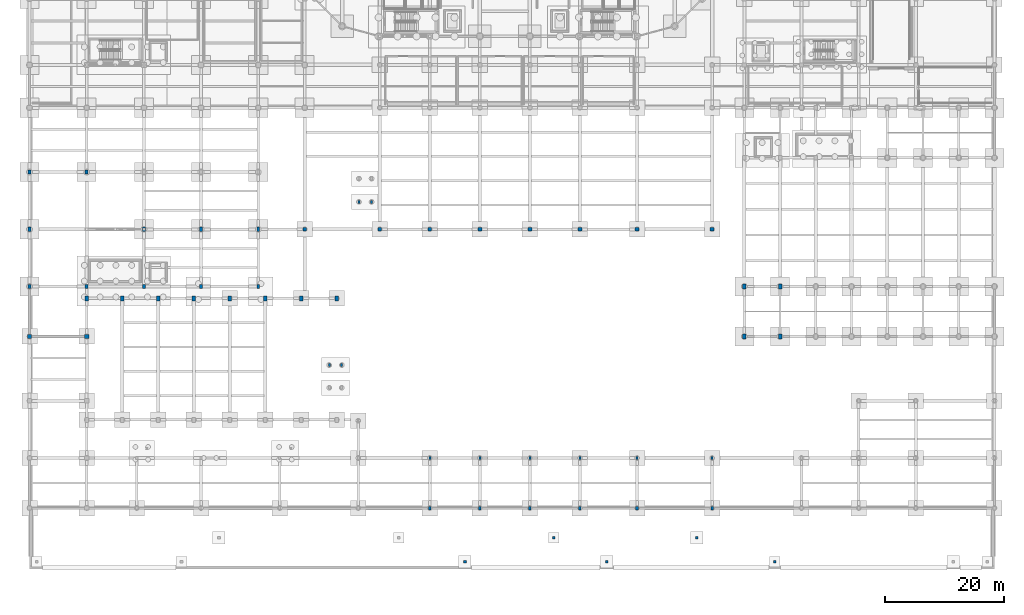
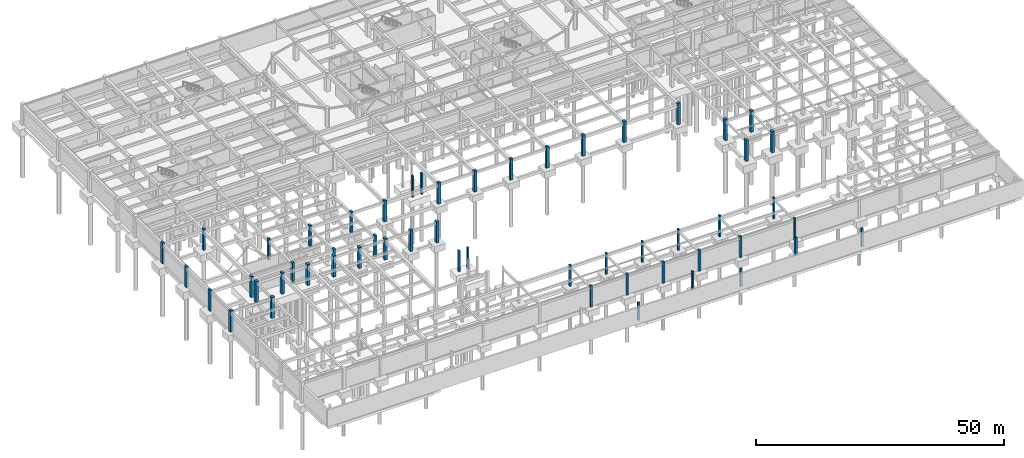
# One storey, part 10 of 37: 54 columns.
"""IFC4 building model written with IfcOpenShell, lengths in metres."""

from ifc_helpers import new_model, si_unit, direction, frame, origin, origin_2d, place, context, subcontext, project, spatial, rectangle, extrude, material, material_profile, profile_set, type_object, element, save


model = new_model("IFC4")

# Units and contexts
model_context = context("Model", 3, precision=1e-05, world=origin(), true_north=direction((0.0, 1.0)))
body_context = subcontext(model_context, "Body", "Model", "MODEL_VIEW")
ifc_project = project(units=[si_unit("LENGTHUNIT", "METRE"), si_unit("AREAUNIT", "SQUARE_METRE"), si_unit("VOLUMEUNIT", "CUBIC_METRE"), si_unit("PLANEANGLEUNIT", "RADIAN"), si_unit("MASSUNIT", "GRAM", prefix="KILO")], contexts=[model_context])

# Site, building, storey
site_placement = place(None, origin())
site = spatial("IfcSite", under=ifc_project, at=site_placement, CompositionType="ELEMENT")
building_placement = place(site_placement, origin())
building = spatial("IfcBuilding", under=site, at=building_placement, Name="Tarnavel Promenade Courthouse", CompositionType="ELEMENT")
storey_placement = place(building_placement, frame((0.0, 0.0, -4.800048828125)))
storey = spatial("IfcBuildingStorey", under=building, at=storey_placement, Name="B01", CompositionType="ELEMENT", Elevation=-4.800048828125)

# Columns
ifc_material = material(Name="Concrete C40/50", Category="concrete")
ifc_material_profile_1 = material_profile(ifc_material, rectangle(XDim=0.35009765625, YDim=0.5, at=origin_2d()), Name="RC 350x500")
ifc_profile_set_1 = profile_set([ifc_material_profile_1], Name="Concrete C40/50")
column_type_1 = type_object("IfcColumnType", Name="Concrete C40/50 COL-PIL-350x500 (RC 350x500)", PredefinedType="PILASTER", material=ifc_profile_set_1)
for number, where, z_axis, x_axis, name in (
    (1, (67.199951171875, 8.39990234375, -0.419921875), (0.0, 0.0, 1.0), (1.0, 0.0, 0.0), "B01 Structural Column 1098"),
    (2, (75.60009765625, 8.39990234375, -0.419921875), (0.0, 0.0, 1.0), (1.0, 0.0, 0.0), "B01 Structural Column 1102"),
    (3, (84.0, 8.39990234375, -0.419921875), (0.0, 0.0, 1.0), (1.0, 0.0, 0.0), "B01 Structural Column 1106"),
    (4, (92.39990234375, 8.39990234375, -0.419921875), (0.0, 0.0, 1.0), (1.0, 0.0, 0.0), "B01 Structural Column 1110"),
    (5, (102.0, 8.39990234375, -0.419921875), (0.0, 0.0, 1.0), (1.0, 0.0, 0.0), "B01 Structural Column 1114"),
    (6, (114.60009765625, 8.39990234375, -0.419921875), (0.0, 0.0, 1.0), (1.0, 0.0, 0.0), "B01 Structural Column 1118"),
    (7, (50.340087890625, 24.0, -0.419921875), (0.0, 0.0, 1.0), (1.0, 0.0, 0.0), "B01 Structural Column 1143"),
    (8, (52.39990234375, 24.0, -0.419921875), (0.0, 0.0, 1.0), (1.0, 0.0, 0.0), "B01 Structural Column 1145"),
    (9, (55.330078125, 51.39990234375, -0.419921875), (0.0, 0.0, 1.0), (1.0, 0.0, 0.0), "B01 Structural Column 1146"),
    (10, (57.39990234375, 51.39990234375, -0.419921875), (0.0, 0.0, 1.0), (1.0, 0.0, 0.0), "B01 Structural Column 1148"),
):
    element("IfcColumn", number, at=place(storey_placement, frame(where, z_axis=z_axis, x_axis=x_axis)), inside=storey, type_object=column_type_1, Name=name, PredefinedType="PILASTER", context=body_context, shape_type="SweptSolid", body=[
        extrude(rectangle(XDim=0.35009765625, YDim=0.5, at=origin_2d()), origin(), (0.0, 0.0, 1.0), 5.219970703125),
    ])
ifc_material_profile_2 = material_profile(ifc_material, rectangle(XDim=0.449951171875, YDim=0.60009765625, at=origin_2d()), Name="RC 450x600")
ifc_profile_set_2 = profile_set([ifc_material_profile_2], Name="Concrete C40/50")
column_type_2 = type_object("IfcColumnType", Name="Concrete C40/50 COL-PIL-450x600 (RC 450x600)", PredefinedType="PILASTER", material=ifc_profile_set_2)
for number, where, z_axis, x_axis, name in (
    (11, (67.199951171875, 0.0, -0.419921875), (0.0, 0.0, 1.0), (1.0, 0.0, 0.0), "B01 Structural Column 1096"),
    (12, (75.60009765625, 0.0, -0.419921875), (0.0, 0.0, 1.0), (1.0, 0.0, 0.0), "B01 Structural Column 1100"),
    (13, (84.0, 0.0, -0.419921875), (0.0, 0.0, 1.0), (1.0, 0.0, 0.0), "B01 Structural Column 1104"),
    (14, (92.39990234375, 0.0, -0.419921875), (0.0, 0.0, 1.0), (1.0, 0.0, 0.0), "B01 Structural Column 1108"),
    (15, (102.0, 0.0, -0.419921875), (0.0, 0.0, 1.0), (1.0, 0.0, 0.0), "B01 Structural Column 1112"),
    (16, (114.60009765625, 0.0, -0.419921875), (0.0, 0.0, 1.0), (1.0, 0.0, 0.0), "B01 Structural Column 1116"),
):
    element("IfcColumn", number, at=place(storey_placement, frame(where, z_axis=z_axis, x_axis=x_axis)), inside=storey, type_object=column_type_2, Name=name, PredefinedType="PILASTER", context=body_context, shape_type="SweptSolid", body=[
        extrude(rectangle(XDim=0.449951171875, YDim=0.60009765625, at=origin_2d()), origin(), (0.0, 0.0, 1.0), 5.219970703125),
    ])
ifc_material_profile_3 = material_profile(ifc_material, rectangle(XDim=0.449951171875, YDim=0.449951171875, at=origin_2d()), Name="RC 450x450")
ifc_profile_set_3 = profile_set([ifc_material_profile_3], Name="Concrete C40/50")
column_type_3 = type_object("IfcColumnType", Name="Concrete C40/50 COL-RC450-PAV (RC 450x450)", PredefinedType="COLUMN", material=ifc_profile_set_3)
for number, where, z_axis, x_axis, name in (
    (17, (73.10009765625, -9.0, -0.419921875), (0.0, 0.0, 1.0), (1.0, 0.0, 0.0), "Plinth Frost Pedestal 04"),
    (18, (88.0, -5.0, -0.419921875), (0.0, 0.0, 1.0), (1.0, 0.0, 0.0), "Plinth Frost Pedestal 05"),
    (19, (112.0, -5.0, -0.419921875), (0.0, 0.0, 1.0), (1.0, 0.0, 0.0), "Plinth Frost Pedestal 06"),
    (20, (125.10009765625, -9.0, -0.419921875), (0.0, 0.0, 1.0), (1.0, 0.0, 0.0), "Plinth Frost Pedestal 07"),
    (21, (96.89990234375, -9.0, -0.419921875), (0.0, 0.0, 1.0), (1.0, 0.0, 0.0), "Plinth Frost Pedestal 10"),
):
    element("IfcColumn", number, at=place(storey_placement, frame(where, z_axis=z_axis, x_axis=x_axis)), inside=storey, type_object=column_type_3, Name=name, PredefinedType="COLUMN", context=body_context, shape_type="SweptSolid", body=[
        extrude(rectangle(XDim=0.449951171875, YDim=0.449951171875, at=origin_2d()), origin(), (0.0, 0.0, 1.0), 4.469970703125),
    ])
ifc_material_profile_4 = material_profile(ifc_material, rectangle(XDim=0.5, YDim=0.699951171875, at=origin_2d()), Name="RC 500x700")
ifc_profile_set_4 = profile_set([ifc_material_profile_4], Name="Concrete C40/50")
column_type_4 = type_object("IfcColumnType", Name="Concrete C40/50 COL-RC500x700 (RC 500x700)", PredefinedType="COLUMN", material=ifc_profile_set_4)
for number, where, z_axis, x_axis, name in (
    (22, (0.0, 37.199951171875, -0.419921875), (0.0, 0.0, 1.0), (1.0, 0.0, 0.0), "B01 Structural Column 0533"),
    (23, (0.0, 46.800048828125, -0.419921875), (0.0, 0.0, 1.0), (1.0, 0.0, 0.0), "B01 Structural Column 0539"),
    (24, (0.0, 56.39990234375, -0.419921875), (0.0, 0.0, 1.0), (1.0, 0.0, 0.0), "B01 Structural Column 0545"),
    (25, (9.60009765625, 37.199951171875, -0.419921875), (0.0, 0.0, 1.0), (1.0, 0.0, 0.0), "B01 Structural Column 0551"),
    (26, (9.60009765625, 56.39990234375, -0.419921875), (0.0, 0.0, 1.0), (1.0, 0.0, 0.0), "B01 Structural Column 0557"),
    (27, (19.199951171875, 37.199951171875, -0.419921875), (0.0, 0.0, 1.0), (1.0, 0.0, 0.0), "B01 Structural Column 0563"),
    (28, (19.199951171875, 46.800048828125, -0.419921875), (0.0, 0.0, 1.0), (1.0, 0.0, 0.0), "B01 Structural Column 0569"),
    (29, (28.800048828125, 37.199951171875, -0.419921875), (0.0, 0.0, 1.0), (1.0, 0.0, 0.0), "B01 Structural Column 0581"),
    (30, (28.800048828125, 46.800048828125, -0.419921875), (0.0, 0.0, 1.0), (1.0, 0.0, 0.0), "B01 Structural Column 0587"),
    (31, (38.39990234375, 37.199951171875, -0.419921875), (0.0, 0.0, 1.0), (1.0, 0.0, 0.0), "B01 Structural Column 0599"),
    (32, (38.39990234375, 46.800048828125, -0.419921875), (0.0, 0.0, 1.0), (1.0, 0.0, 0.0), "B01 Structural Column 0604"),
):
    element("IfcColumn", number, at=place(storey_placement, frame(where, z_axis=z_axis, x_axis=x_axis)), inside=storey, type_object=column_type_4, Name=name, PredefinedType="COLUMN", context=body_context, shape_type="SweptSolid", body=[
        extrude(rectangle(XDim=0.5, YDim=0.699951171875, at=origin_2d()), origin(), (0.0, 0.0, 1.0), 5.219970703125),
    ])
ifc_material_profile_5 = material_profile(ifc_material, rectangle(XDim=0.60009765625, YDim=0.800048828125, at=origin_2d()), Name="RC 600x800")
ifc_profile_set_5 = profile_set([ifc_material_profile_5], Name="Concrete C40/50")
column_type_5 = type_object("IfcColumnType", Name="Concrete C40/50 COL-RC600x800 (RC 600x800)", PredefinedType="COLUMN", material=ifc_profile_set_5)
for number, where, z_axis, x_axis, name in (
    (33, (9.60009765625, 35.199951171875, -0.419921875), (0.0, 0.0, 1.0), (1.0, 0.0, 0.0), "B01 Structural Column 0650"),
    (34, (15.60009765625, 35.199951171875, -0.419921875), (0.0, 0.0, 1.0), (1.0, 0.0, 0.0), "B01 Structural Column 0658"),
    (35, (21.60009765625, 35.199951171875, -0.419921875), (0.0, 0.0, 1.0), (1.0, 0.0, 0.0), "B01 Structural Column 0666"),
    (36, (27.60009765625, 35.199951171875, -0.419921875), (0.0, 0.0, 1.0), (1.0, 0.0, 0.0), "B01 Structural Column 0674"),
    (37, (33.60009765625, 35.199951171875, -0.419921875), (0.0, 0.0, 1.0), (1.0, 0.0, 0.0), "B01 Structural Column 0682"),
    (38, (39.60009765625, 35.199951171875, -0.419921875), (0.0, 0.0, 1.0), (1.0, 0.0, 0.0), "B01 Structural Column 0690"),
    (39, (45.60009765625, 35.199951171875, -0.419921875), (0.0, 0.0, 1.0), (1.0, 0.0, 0.0), "B01 Structural Column 0698"),
    (40, (51.60009765625, 35.199951171875, -0.419921875), (0.0, 0.0, 1.0), (1.0, 0.0, 0.0), "B01 Structural Column 0706"),
    (41, (120.0, 28.800048828125, -0.419921875), (0.0, 0.0, 1.0), (1.0, 0.0, 0.0), "B01 Structural Column 0726"),
    (42, (120.0, 37.199951171875, -0.419921875), (0.0, 0.0, 1.0), (1.0, 0.0, 0.0), "B01 Structural Column 0731"),
    (43, (126.0, 28.800048828125, -0.419921875), (0.0, 0.0, 1.0), (1.0, 0.0, 0.0), "B01 Structural Column 0746"),
    (44, (126.0, 37.199951171875, -0.419921875), (0.0, 0.0, 1.0), (1.0, 0.0, 0.0), "B01 Structural Column 0751"),
):
    element("IfcColumn", number, at=place(storey_placement, frame(where, z_axis=z_axis, x_axis=x_axis)), inside=storey, type_object=column_type_5, Name=name, PredefinedType="COLUMN", context=body_context, shape_type="SweptSolid", body=[
        extrude(rectangle(XDim=0.60009765625, YDim=0.800048828125, at=origin_2d()), origin(), (0.0, 0.0, 1.0), 5.219970703125),
    ])
ifc_material_profile_6 = material_profile(ifc_material, rectangle(XDim=0.64990234375, YDim=0.64990234375, at=origin_2d()), Name="RC 650x650")
ifc_profile_set_6 = profile_set([ifc_material_profile_6], Name="Concrete C40/50")
column_type_6 = type_object("IfcColumnType", Name="Concrete C40/50 COL-RC650-UPP (RC 650x650)", PredefinedType="COLUMN", material=ifc_profile_set_6)
for number, where, z_axis, x_axis, name in (
    (45, (46.199951171875, 46.800048828125, -0.419921875), (0.0, 0.0, 1.0), (1.0, 0.0, 0.0), "B01 Structural Column 0998"),
    (46, (58.800048828125, 46.800048828125, -0.419921875), (0.0, 0.0, 1.0), (1.0, 0.0, 0.0), "B01 Structural Column 1002"),
    (47, (67.199951171875, 46.800048828125, -0.419921875), (0.0, 0.0, 1.0), (1.0, 0.0, 0.0), "B01 Structural Column 1014"),
    (48, (75.60009765625, 46.800048828125, -0.419921875), (0.0, 0.0, 1.0), (1.0, 0.0, 0.0), "B01 Structural Column 1026"),
    (49, (84.0, 46.800048828125, -0.419921875), (0.0, 0.0, 1.0), (1.0, 0.0, 0.0), "B01 Structural Column 1038"),
    (50, (92.39990234375, 46.800048828125, -0.419921875), (0.0, 0.0, 1.0), (1.0, 0.0, 0.0), "B01 Structural Column 1050"),
    (51, (102.0, 46.800048828125, -0.419921875), (0.0, 0.0, 1.0), (1.0, 0.0, 0.0), "B01 Structural Column 1062"),
    (52, (114.60009765625, 46.800048828125, -0.419921875), (0.0, 0.0, 1.0), (1.0, 0.0, 0.0), "B01 Structural Column 1074"),
):
    element("IfcColumn", number, at=place(storey_placement, frame(where, z_axis=z_axis, x_axis=x_axis)), inside=storey, type_object=column_type_6, Name=name, PredefinedType="COLUMN", context=body_context, shape_type="SweptSolid", body=[
        extrude(rectangle(XDim=0.64990234375, YDim=0.64990234375, at=origin_2d()), origin(), (0.0, 0.0, 1.0), 5.219970703125),
    ])
ifc_material_profile_7 = material_profile(ifc_material, rectangle(XDim=0.699951171875, YDim=0.699951171875, at=origin_2d()), Name="RC 700x700")
ifc_profile_set_7 = profile_set([ifc_material_profile_7], Name="Concrete C40/50")
column_type_7 = type_object("IfcColumnType", Name="Concrete C40/50 COL-RC700-MID (RC 700x700)", PredefinedType="COLUMN", material=ifc_profile_set_7)
for number, where, z_axis, x_axis, name in (
    (53, (0.0, 28.800048828125, -0.419921875), (0.0, 0.0, 1.0), (1.0, 0.0, 0.0), "B01 Structural Column 0626"),
    (54, (9.60009765625, 28.800048828125, -0.419921875), (0.0, 0.0, 1.0), (1.0, 0.0, 0.0), "B01 Structural Column 0642"),
):
    element("IfcColumn", number, at=place(storey_placement, frame(where, z_axis=z_axis, x_axis=x_axis)), inside=storey, type_object=column_type_7, Name=name, PredefinedType="COLUMN", context=body_context, shape_type="SweptSolid", body=[
        extrude(rectangle(XDim=0.699951171875, YDim=0.699951171875, at=origin_2d()), origin(), (0.0, 0.0, 1.0), 5.219970703125),
    ])

save(model, "model.ifc")
